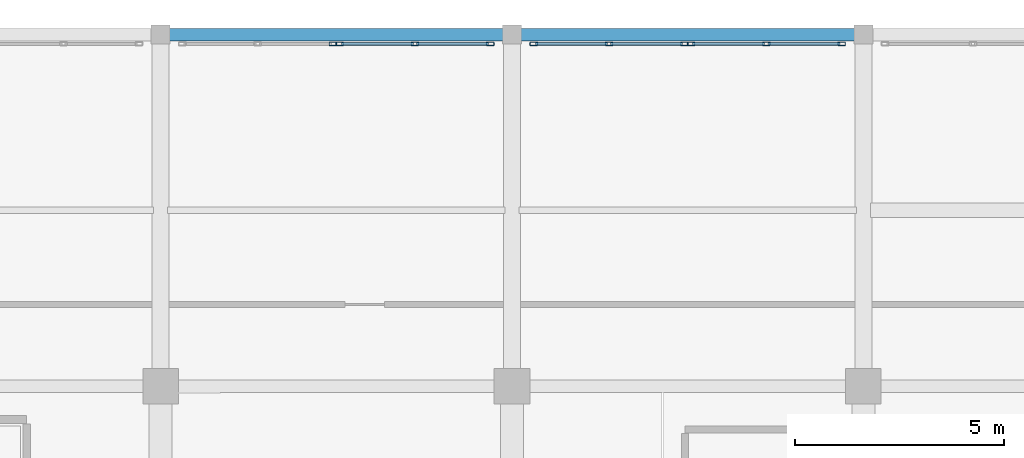
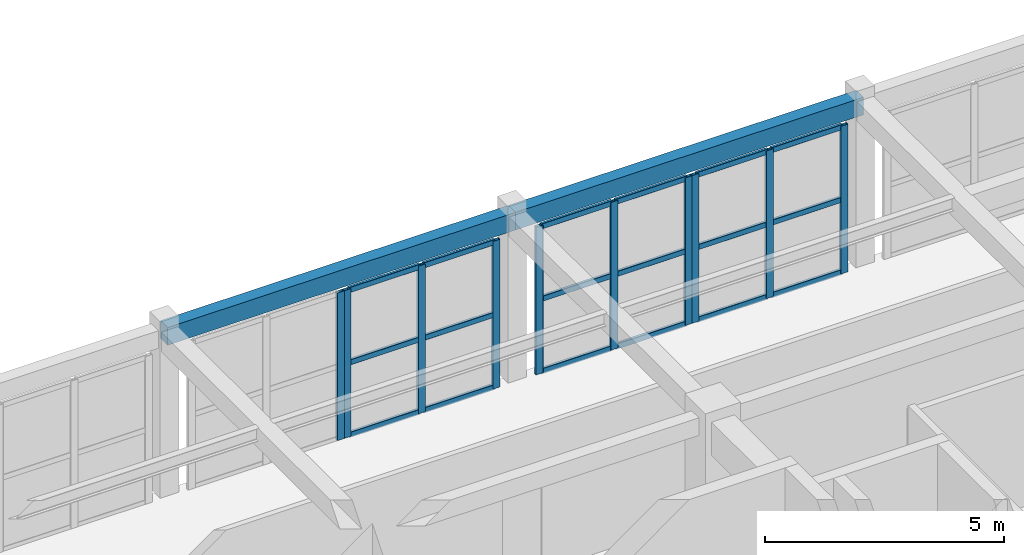
# One storey, part 40 of 92: 28 members, 2 beams, 4 elements without a shape of their own.
"""IFC4 building model written with IfcOpenShell, lengths in metres."""

import ifcopenshell
import ifcopenshell.guid

model = None  # the IFC model being written
_history = None  # IfcOwnerHistory: only IFC2X3 demands one
_inside = {}  # id of a spatial element -> (the spatial element, [elements in it])
_under = {}  # id of a project, library or spatial element -> (it, [spatial elements below it])
_declared = {}  # id of a project -> (the project, [libraries it declares])
_typed = {}  # id of a type object -> (the type object, [elements of that type])
_made_of = {}  # id of a material, layer set ... -> (it, [elements and type objects made of it])


def new_model(schema):
    """Start an empty IFC model of exactly this schema.

    Asked for "IFC4X3", IfcOpenShell would pick the latest addendum, in which some entities
    have other attributes; the version numbers below select the first issue.
    IFC2X3 requires an IfcOwnerHistory on every rooted entity: one is made here for all.
    """
    global model, _history
    if schema == "IFC4X3":
        model = ifcopenshell.file(schema_version=(4, 3, 0, 0))
    else:
        model = ifcopenshell.file(schema=schema)
    _inside.clear()
    _under.clear()
    _declared.clear()
    _typed.clear()
    _made_of.clear()
    _history = None
    if model.schema == "IFC2X3":
        org = make("IfcOrganization", Name="unknown")
        user = make(
            "IfcPersonAndOrganization",
            ThePerson=make("IfcPerson", FamilyName="unknown"),
            TheOrganization=org,
        )
        app = make(
            "IfcApplication",
            ApplicationDeveloper=org,
            Version="unknown",
            ApplicationFullName="unknown",
            ApplicationIdentifier="unknown",
        )
        _history = make(
            "IfcOwnerHistory",
            OwningUser=user,
            OwningApplication=app,
            ChangeAction="ADDED",
            CreationDate=0,
        )
    return model


def make(cls, **values):
    """One entity of the class cls with the attributes given. An attribute that is None is left unset."""
    return model.create_entity(
        cls, **{name: value for name, value in values.items() if value is not None}
    )


def rooted(cls, **values):
    """An entity with a GlobalId (a new one), such as an element, a storey or a relation."""
    return make(cls, GlobalId=ifcopenshell.guid.new(), OwnerHistory=_history, **values)


def si_unit(unit_type, name, prefix=None):
    """IfcSIUnit, for example si_unit("LENGTHUNIT", "METRE", prefix="MILLI")."""
    return make("IfcSIUnit", UnitType=unit_type, Prefix=prefix, Name=name)


def assignment(units):
    """IfcUnitAssignment: the units of a project."""
    return None if units is None else make("IfcUnitAssignment", Units=units)


def point(xyz):
    """IfcCartesianPoint."""
    return None if xyz is None else make("IfcCartesianPoint", Coordinates=xyz)


def direction(xyz):
    """IfcDirection."""
    return None if xyz is None else make("IfcDirection", DirectionRatios=xyz)


def frame(location, z_axis=None, x_axis=None):
    """IfcAxis2Placement3D, a coordinate frame: its origin and axes. An axis left out is left unset."""
    return make(
        "IfcAxis2Placement3D",
        Location=point(location),
        Axis=direction(z_axis),
        RefDirection=direction(x_axis),
    )


def frame_2d(location, x_axis=None):
    """IfcAxis2Placement2D, a coordinate frame in the plane: its origin and x axis."""
    return make(
        "IfcAxis2Placement2D", Location=point(location), RefDirection=direction(x_axis)
    )


def origin():
    """The frame at (0, 0, 0) with its axes left unset."""
    return frame((0.0, 0.0, 0.0))


def origin_2d():
    """The frame at (0, 0) in the plane with its x axis left unset."""
    return frame_2d((0.0, 0.0))


def place(relative_to, where):
    """IfcLocalPlacement: puts the frame where relative to a parent placement (None: the world)."""
    return make(
        "IfcLocalPlacement", PlacementRelTo=relative_to, RelativePlacement=where
    )


def context(
    kind, dimensions, precision=None, world=None, true_north=None, identifier=None
):
    """IfcGeometricRepresentationContext, for example the 3D "Model" context."""
    return make(
        "IfcGeometricRepresentationContext",
        ContextIdentifier=identifier,
        ContextType=kind,
        CoordinateSpaceDimension=dimensions,
        Precision=precision,
        WorldCoordinateSystem=world,
        TrueNorth=true_north,
    )


def subcontext(parent, identifier, kind, view, scale=None):
    """IfcGeometricRepresentationSubContext, for example "Body" below "Model"."""
    return make(
        "IfcGeometricRepresentationSubContext",
        ContextIdentifier=identifier,
        ContextType=kind,
        ParentContext=parent,
        TargetScale=scale,
        TargetView=view,
    )


def project(units=None, contexts=None):
    """IfcProject with its units and contexts."""
    return rooted(
        "IfcProject",
        Name="project",
        RepresentationContexts=contexts,
        UnitsInContext=assignment(units),
    )


def spatial(cls, under=None, at=None, **own):
    """A site, building, storey or space (cls), placed at a placement, below another one or the project."""
    s = rooted(cls, ObjectPlacement=at, **own)
    if under is not None:
        _under.setdefault(under.id(), (under, []))[1].append(s)
    return s


def profile(cls, at=None, kind="AREA", **sizes):
    """A parametric profile (cls). Its sizes go by their IFC names, for example OverallWidth=200.0."""
    return make(cls, ProfileType=kind, Position=at, **sizes)


def rectangle(**sizes):
    """IfcRectangleProfileDef."""
    return profile("IfcRectangleProfileDef", **sizes)


def hollow_rectangle(**sizes):
    """IfcRectangleHollowProfileDef."""
    return profile("IfcRectangleHollowProfileDef", **sizes)


def extrude(swept, where, along, depth):
    """IfcExtrudedAreaSolid: the profile swept, set in the frame where, extruded along a direction by depth."""
    return make(
        "IfcExtrudedAreaSolid",
        SweptArea=swept,
        Position=where,
        ExtrudedDirection=direction(along),
        Depth=depth,
    )


def shape(context_of_items, identifier, shape_type, items):
    """IfcShapeRepresentation: the items that make up one representation, for example the "Body"."""
    return make(
        "IfcShapeRepresentation",
        ContextOfItems=context_of_items,
        RepresentationIdentifier=identifier,
        RepresentationType=shape_type,
        Items=items,
    )


def material(Name=None, Category=None):
    """IfcMaterial."""
    return make("IfcMaterial", Name=Name, Category=Category)


def layer(
    of_material, thickness, ventilated=None, Name=None, Category=None, Priority=None
):
    """IfcMaterialLayer: one layer of a wall or slab, of a material (None: an air gap)."""
    return make(
        "IfcMaterialLayer",
        Material=of_material,
        LayerThickness=thickness,
        IsVentilated=ventilated,
        Name=Name,
        Category=Category,
        Priority=Priority,
    )


def layer_set(layers, Name=None):
    """IfcMaterialLayerSet."""
    return make("IfcMaterialLayerSet", MaterialLayers=layers, LayerSetName=Name)


def material_profile(
    of_material, cross_section, Name=None, Category=None, Priority=None
):
    """IfcMaterialProfile: a cross section and its material."""
    return make(
        "IfcMaterialProfile",
        Name=Name,
        Material=of_material,
        Profile=cross_section,
        Priority=Priority,
        Category=Category,
    )


def profile_set(profiles, Name=None, composite=None):
    """IfcMaterialProfileSet."""
    return make(
        "IfcMaterialProfileSet",
        Name=Name,
        MaterialProfiles=profiles,
        CompositeProfile=composite,
    )


def made_of(thing, what):
    """Note that an element or type object is made of a material, layer set ...; save() writes the relation."""
    if what is not None:
        _made_of.setdefault(what.id(), (what, []))[1].append(thing)
    return thing


def type_object(cls, material=None, **own):
    """A type object (cls), such as IfcWallType, which elements share."""
    return made_of(rooted(cls, **own), material)


def element(
    cls,
    number,
    at=None,
    inside=None,
    cuts=None,
    type_object=None,
    material=None,
    context=None,
    identifier="Body",
    shape_type=None,
    held_by="IfcProductDefinitionShape",
    body=None,
    shapes=None,
    **own,
):
    """One element of the class cls, such as IfcWall. Its Tag is "e" and its number.

    at: its placement. inside: the storey or other place that contains it. cuts: it is an
    opening in that element (IfcRelVoidsElement). A single representation is given by context,
    identifier, shape_type and body (its items); several are given by shapes. held_by: the class
    of the entity that holds the representations. save() writes the other relations.
    """
    e = rooted(cls, Tag="e%d" % number, ObjectPlacement=at, **own)
    if body is not None:
        shapes = [shape(context, identifier, shape_type, body)]
    if shapes is not None:
        e.Representation = make(held_by, Representations=shapes)
    if inside is not None:
        _inside.setdefault(inside.id(), (inside, []))[1].append(e)
    if cuts is not None:
        rooted(
            "IfcRelVoidsElement", RelatingBuildingElement=cuts, RelatedOpeningElement=e
        )
    if type_object is not None:
        _typed.setdefault(type_object.id(), (type_object, []))[1].append(e)
    return made_of(e, material)


def aggregate(whole, parts):
    """IfcRelAggregates: a whole, such as a stair, and the parts it consists of."""
    return rooted("IfcRelAggregates", RelatingObject=whole, RelatedObjects=parts)


def save(model, path):
    """Write the relations noted so far, then the file.

    IfcRelAggregates (storeys below a building ...), IfcRelContainedInSpatialStructure (elements
    in a storey), IfcRelDefinesByType, IfcRelAssociatesMaterial and IfcRelDeclares: one each for
    every whole, place, type object, material and project.
    """
    for whole, parts in _under.values():
        aggregate(whole, parts)
    for where, things in _inside.values():
        rooted(
            "IfcRelContainedInSpatialStructure",
            RelatedElements=things,
            RelatingStructure=where,
        )
    for kind, things in _typed.values():
        rooted("IfcRelDefinesByType", RelatedObjects=things, RelatingType=kind)
    for what, things in _made_of.values():
        rooted("IfcRelAssociatesMaterial", RelatedObjects=things, RelatingMaterial=what)
    for by, libraries in _declared.values():
        rooted("IfcRelDeclares", RelatingContext=by, RelatedDefinitions=libraries)
    model.write(path)


model = new_model("IFC4")

# Units and contexts
model_context = context("Model", 3, precision=1e-05, world=origin(), true_north=direction((0.0, 1.0)))
body_context = subcontext(model_context, "Body", "Model", "MODEL_VIEW")
ifc_project = project(units=[si_unit("LENGTHUNIT", "METRE"), si_unit("AREAUNIT", "SQUARE_METRE"), si_unit("VOLUMEUNIT", "CUBIC_METRE"), si_unit("PLANEANGLEUNIT", "RADIAN"), si_unit("MASSUNIT", "GRAM", prefix="KILO")], contexts=[model_context])

# Site, building, storey
site_placement = place(None, origin())
site = spatial("IfcSite", under=ifc_project, at=site_placement, CompositionType="ELEMENT")
building_placement = place(site_placement, origin())
building = spatial("IfcBuilding", under=site, at=building_placement, Name="Tarnavel Promenade Courthouse", CompositionType="ELEMENT")
storey_placement = place(building_placement, frame((0.0, 0.0, 5.39990234375)))
storey = spatial("IfcBuildingStorey", under=building, at=storey_placement, Name="L02", CompositionType="ELEMENT", Elevation=5.39990234375)

# Beams
ifc_material_1 = material(Name="Concrete C40/50", Category="concrete")
ifc_material_profile_1 = material_profile(ifc_material_1, rectangle(XDim=0.300048828125, YDim=0.449951171875, at=origin_2d()), Name="RC 300x450")
ifc_profile_set_1 = profile_set([ifc_material_profile_1], Name="Concrete C40/50")
beam_type = type_object("IfcBeamType", Name="Concrete C40/50 BM-SP-300x450 (RC 300x450)", PredefinedType="SPANDREL", material=ifc_profile_set_1)
for number, where, z_axis, x_axis, name in (
    (1, (75.60009765625, 112.800048828125, 4.010009765625), (1.0, 0.0, 0.0), (0.0, 1.0, 0.0), "L02 Primary Longitudinal Beam 1218"),
    (2, (84.0, 112.800048828125, 4.010009765625), (1.0, 0.0, 0.0), (0.0, 1.0, 0.0), "L02 Primary Longitudinal Beam 1219"),
):
    element("IfcBeam", number, at=place(storey_placement, frame(where, z_axis=z_axis, x_axis=x_axis)), inside=storey, type_object=beam_type, Name=name, PredefinedType="SPANDREL", context=body_context, shape_type="SweptSolid", body=[
        extrude(rectangle(XDim=0.300048828125, YDim=0.449951171875, at=origin_2d()), origin(), (0.0, 0.0, 1.0), 8.39990234375),
    ])

# Curtain wall, member
ifc_material_2 = material(Name="Thermally Broken Anodised Aluminium Curtain Wall System", Category="aluminium")
ifc_layer = layer(ifc_material_2, 0.199951171875)
ifc_layer_set = layer_set([ifc_layer], Name="Thermally Broken Anodised Aluminium Curtain Wall System")
curtain_wall_type = type_object("IfcCurtainWallType", Name="Thermally Broken Aluminium Triple-Glazed Curtain Wall CW-FOYER", PredefinedType="NOTDEFINED", material=ifc_layer_set)
curtain_wall_1_placement = place(storey_placement, origin())
curtain_wall_1 = element("IfcCurtainWall", 3, at=curtain_wall_1_placement, inside=storey, type_object=curtain_wall_type, Name="L02 North Foyer Curtain Wall A 132", PredefinedType="NOTDEFINED")
ifc_material_3 = material(Name="Thermally Broken Anodised Aluminium Frame", Category="aluminium")
ifc_material_profile_2 = material_profile(ifc_material_3, hollow_rectangle(XDim=0.080078125, YDim=0.179931640625, WallThickness=0.0048828125, InnerFilletRadius=0.0048828125, OuterFilletRadius=0.010009765625, at=origin_2d()), Name="CWM 180x80x5")
ifc_profile_set_2 = profile_set([ifc_material_profile_2], Name="Thermally Broken Anodised Aluminium Frame")
member_type_1 = type_object("IfcMemberType", Name="Thermally Broken Anodised Aluminium CWM-155 (CWM 180x80x5)", PredefinedType="MULLION", material=ifc_profile_set_2)
member_1_placement = place(storey_placement, frame((79.719970703125, 112.580078125, 0.0), z_axis=(0.0, 0.0, 1.0), x_axis=(0.0, 1.0, 0.0)))
member_1 = element("IfcMember", 4, at=member_1_placement, type_object=member_type_1, Name="CW-04 mullion 3", PredefinedType="MULLION", context=body_context, shape_type="SweptSolid", body=[
    extrude(hollow_rectangle(XDim=0.080078125, YDim=0.179931640625, WallThickness=0.0048828125, InnerFilletRadius=0.0048828125, OuterFilletRadius=0.010009765625, at=origin_2d()), origin(), (0.0, 0.0, 1.0), 3.77001953125),
])
aggregate(curtain_wall_1, [member_1])

# Curtain wall, members
curtain_wall_2_placement = place(storey_placement, origin())
curtain_wall_2 = element("IfcCurtainWall", 5, at=curtain_wall_2_placement, inside=storey, type_object=curtain_wall_type, Name="L02 North Foyer Curtain Wall B 133", PredefinedType="NOTDEFINED")
member_2_placement = place(storey_placement, frame((79.8798828125, 112.580078125, 0.0), z_axis=(0.0, 0.0, 1.0), x_axis=(0.0, 1.0, 0.0)))
member_2 = element("IfcMember", 6, at=member_2_placement, type_object=member_type_1, Name="CW-04 mullion 1", PredefinedType="MULLION", context=body_context, shape_type="SweptSolid", body=[
    extrude(hollow_rectangle(XDim=0.080078125, YDim=0.179931640625, WallThickness=0.0048828125, InnerFilletRadius=0.0048828125, OuterFilletRadius=0.010009765625, at=origin_2d()), origin(), (0.0, 0.0, 1.0), 3.77001953125),
])
member_3_placement = place(storey_placement, frame((81.679931640625, 112.580078125, 0.0), z_axis=(0.0, 0.0, 1.0), x_axis=(0.0, 1.0, 0.0)))
member_3 = element("IfcMember", 7, at=member_3_placement, type_object=member_type_1, Name="CW-04 mullion 2", PredefinedType="MULLION", context=body_context, shape_type="SweptSolid", body=[
    extrude(hollow_rectangle(XDim=0.080078125, YDim=0.179931640625, WallThickness=0.0048828125, InnerFilletRadius=0.0048828125, OuterFilletRadius=0.010009765625, at=origin_2d()), origin(), (0.0, 0.0, 1.0), 3.77001953125),
])
member_4_placement = place(storey_placement, frame((83.47998046875, 112.580078125, 0.0), z_axis=(0.0, 0.0, 1.0), x_axis=(0.0, 1.0, 0.0)))
member_4 = element("IfcMember", 8, at=member_4_placement, type_object=member_type_1, Name="CW-04 mullion 3", PredefinedType="MULLION", context=body_context, shape_type="SweptSolid", body=[
    extrude(hollow_rectangle(XDim=0.080078125, YDim=0.179931640625, WallThickness=0.0048828125, InnerFilletRadius=0.0048828125, OuterFilletRadius=0.010009765625, at=origin_2d()), origin(), (0.0, 0.0, 1.0), 3.77001953125),
])

curtain_wall_3_placement = place(storey_placement, origin())
curtain_wall_3 = element("IfcCurtainWall", 9, at=curtain_wall_3_placement, inside=storey, type_object=curtain_wall_type, Name="L02 North Foyer Curtain Wall A 134", PredefinedType="NOTDEFINED")
member_5_placement = place(storey_placement, frame((84.52001953125, 112.580078125, 0.0), z_axis=(0.0, 0.0, 1.0), x_axis=(0.0, 1.0, 0.0)))
member_5 = element("IfcMember", 10, at=member_5_placement, type_object=member_type_1, Name="CW-04 mullion 1", PredefinedType="MULLION", context=body_context, shape_type="SweptSolid", body=[
    extrude(hollow_rectangle(XDim=0.080078125, YDim=0.179931640625, WallThickness=0.0048828125, InnerFilletRadius=0.0048828125, OuterFilletRadius=0.010009765625, at=origin_2d()), origin(), (0.0, 0.0, 1.0), 3.77001953125),
])
member_6_placement = place(storey_placement, frame((86.320068359375, 112.580078125, 0.0), z_axis=(0.0, 0.0, 1.0), x_axis=(0.0, 1.0, 0.0)))
member_6 = element("IfcMember", 11, at=member_6_placement, type_object=member_type_1, Name="CW-04 mullion 2", PredefinedType="MULLION", context=body_context, shape_type="SweptSolid", body=[
    extrude(hollow_rectangle(XDim=0.080078125, YDim=0.179931640625, WallThickness=0.0048828125, InnerFilletRadius=0.0048828125, OuterFilletRadius=0.010009765625, at=origin_2d()), origin(), (0.0, 0.0, 1.0), 3.77001953125),
])
member_7_placement = place(storey_placement, frame((88.1201171875, 112.580078125, 0.0), z_axis=(0.0, 0.0, 1.0), x_axis=(0.0, 1.0, 0.0)))
member_7 = element("IfcMember", 12, at=member_7_placement, type_object=member_type_1, Name="CW-04 mullion 3", PredefinedType="MULLION", context=body_context, shape_type="SweptSolid", body=[
    extrude(hollow_rectangle(XDim=0.080078125, YDim=0.179931640625, WallThickness=0.0048828125, InnerFilletRadius=0.0048828125, OuterFilletRadius=0.010009765625, at=origin_2d()), origin(), (0.0, 0.0, 1.0), 3.77001953125),
])

curtain_wall_4_placement = place(storey_placement, origin())
curtain_wall_4 = element("IfcCurtainWall", 13, at=curtain_wall_4_placement, inside=storey, type_object=curtain_wall_type, Name="L02 North Foyer Curtain Wall B 135", PredefinedType="NOTDEFINED")
member_8_placement = place(storey_placement, frame((88.280029296875, 112.580078125, 0.0), z_axis=(0.0, 0.0, 1.0), x_axis=(0.0, 1.0, 0.0)))
member_8 = element("IfcMember", 14, at=member_8_placement, type_object=member_type_1, Name="CW-04 mullion 1", PredefinedType="MULLION", context=body_context, shape_type="SweptSolid", body=[
    extrude(hollow_rectangle(XDim=0.080078125, YDim=0.179931640625, WallThickness=0.0048828125, InnerFilletRadius=0.0048828125, OuterFilletRadius=0.010009765625, at=origin_2d()), origin(), (0.0, 0.0, 1.0), 3.77001953125),
])
member_9_placement = place(storey_placement, frame((90.080078125, 112.580078125, 0.0), z_axis=(0.0, 0.0, 1.0), x_axis=(0.0, 1.0, 0.0)))
member_9 = element("IfcMember", 15, at=member_9_placement, type_object=member_type_1, Name="CW-04 mullion 2", PredefinedType="MULLION", context=body_context, shape_type="SweptSolid", body=[
    extrude(hollow_rectangle(XDim=0.080078125, YDim=0.179931640625, WallThickness=0.0048828125, InnerFilletRadius=0.0048828125, OuterFilletRadius=0.010009765625, at=origin_2d()), origin(), (0.0, 0.0, 1.0), 3.77001953125),
])
member_10_placement = place(storey_placement, frame((91.8798828125, 112.580078125, 0.0), z_axis=(0.0, 0.0, 1.0), x_axis=(0.0, 1.0, 0.0)))
member_10 = element("IfcMember", 16, at=member_10_placement, type_object=member_type_1, Name="CW-04 mullion 3", PredefinedType="MULLION", context=body_context, shape_type="SweptSolid", body=[
    extrude(hollow_rectangle(XDim=0.080078125, YDim=0.179931640625, WallThickness=0.0048828125, InnerFilletRadius=0.0048828125, OuterFilletRadius=0.010009765625, at=origin_2d()), origin(), (0.0, 0.0, 1.0), 3.77001953125),
])

# Member
ifc_material_profile_3 = material_profile(ifc_material_3, hollow_rectangle(XDim=0.070068359375, YDim=0.139892578125, WallThickness=0.0048828125, InnerFilletRadius=0.0048828125, OuterFilletRadius=0.010009765625, at=origin_2d()), Name="CWT 140x70x5")
ifc_profile_set_3 = profile_set([ifc_material_profile_3], Name="Thermally Broken Anodised Aluminium Frame")
member_type_2 = type_object("IfcMemberType", Name="Thermally Broken Anodised Aluminium CWT-125 (CWT 140x70x5)", PredefinedType="USERDEFINED", material=ifc_profile_set_3)
member_11_placement = place(storey_placement, frame((79.919921875, 112.580078125, 0.03515625), z_axis=(1.0, 0.0, 0.0), x_axis=(0.0, 1.0, 0.0)))
member_11 = element("IfcMember", 17, at=member_11_placement, type_object=member_type_2, Name="CW-04 transom 1.1", ObjectType="TRANSOM", PredefinedType="USERDEFINED", context=body_context, shape_type="SweptSolid", body=[
    extrude(hollow_rectangle(XDim=0.070068359375, YDim=0.139892578125, WallThickness=0.0048828125, InnerFilletRadius=0.0048828125, OuterFilletRadius=0.010009765625, at=origin_2d()), origin(), (0.0, 0.0, 1.0), 1.719970703125),
])

member_12_placement = place(storey_placement, frame((79.919921875, 112.580078125, 1.885009765625), z_axis=(1.0, 0.0, 0.0), x_axis=(0.0, 1.0, 0.0)))
member_12 = element("IfcMember", 18, at=member_12_placement, type_object=member_type_2, Name="CW-04 transom 1.2", ObjectType="TRANSOM", PredefinedType="USERDEFINED", context=body_context, shape_type="SweptSolid", body=[
    extrude(hollow_rectangle(XDim=0.070068359375, YDim=0.139892578125, WallThickness=0.0048828125, InnerFilletRadius=0.0048828125, OuterFilletRadius=0.010009765625, at=origin_2d()), origin(), (0.0, 0.0, 1.0), 1.719970703125),
])

member_13_placement = place(storey_placement, frame((79.919921875, 112.580078125, 3.735107421875), z_axis=(1.0, 0.0, 0.0), x_axis=(0.0, 1.0, 0.0)))
member_13 = element("IfcMember", 19, at=member_13_placement, type_object=member_type_2, Name="CW-04 transom 1.3", ObjectType="TRANSOM", PredefinedType="USERDEFINED", context=body_context, shape_type="SweptSolid", body=[
    extrude(hollow_rectangle(XDim=0.070068359375, YDim=0.139892578125, WallThickness=0.0048828125, InnerFilletRadius=0.0048828125, OuterFilletRadius=0.010009765625, at=origin_2d()), origin(), (0.0, 0.0, 1.0), 1.719970703125),
])

member_14_placement = place(storey_placement, frame((81.719970703125, 112.580078125, 0.03515625), z_axis=(1.0, 0.0, 0.0), x_axis=(0.0, 1.0, 0.0)))
member_14 = element("IfcMember", 20, at=member_14_placement, type_object=member_type_2, Name="CW-04 transom 2.1", ObjectType="TRANSOM", PredefinedType="USERDEFINED", context=body_context, shape_type="SweptSolid", body=[
    extrude(hollow_rectangle(XDim=0.070068359375, YDim=0.139892578125, WallThickness=0.0048828125, InnerFilletRadius=0.0048828125, OuterFilletRadius=0.010009765625, at=origin_2d()), origin(), (0.0, 0.0, 1.0), 1.719970703125),
])

member_15_placement = place(storey_placement, frame((81.719970703125, 112.580078125, 1.885009765625), z_axis=(1.0, 0.0, 0.0), x_axis=(0.0, 1.0, 0.0)))
member_15 = element("IfcMember", 21, at=member_15_placement, type_object=member_type_2, Name="CW-04 transom 2.2", ObjectType="TRANSOM", PredefinedType="USERDEFINED", context=body_context, shape_type="SweptSolid", body=[
    extrude(hollow_rectangle(XDim=0.070068359375, YDim=0.139892578125, WallThickness=0.0048828125, InnerFilletRadius=0.0048828125, OuterFilletRadius=0.010009765625, at=origin_2d()), origin(), (0.0, 0.0, 1.0), 1.719970703125),
])

member_16_placement = place(storey_placement, frame((81.719970703125, 112.580078125, 3.735107421875), z_axis=(1.0, 0.0, 0.0), x_axis=(0.0, 1.0, 0.0)))
member_16 = element("IfcMember", 22, at=member_16_placement, type_object=member_type_2, Name="CW-04 transom 2.3", ObjectType="TRANSOM", PredefinedType="USERDEFINED", context=body_context, shape_type="SweptSolid", body=[
    extrude(hollow_rectangle(XDim=0.070068359375, YDim=0.139892578125, WallThickness=0.0048828125, InnerFilletRadius=0.0048828125, OuterFilletRadius=0.010009765625, at=origin_2d()), origin(), (0.0, 0.0, 1.0), 1.719970703125),
])

aggregate(curtain_wall_2, [member_2, member_3, member_4, member_11, member_12, member_13, member_14, member_15, member_16])

member_17_placement = place(storey_placement, frame((84.56005859375, 112.580078125, 0.03515625), z_axis=(1.0, 0.0, 0.0), x_axis=(0.0, 1.0, 0.0)))
member_17 = element("IfcMember", 23, at=member_17_placement, type_object=member_type_2, Name="CW-04 transom 1.1", ObjectType="TRANSOM", PredefinedType="USERDEFINED", context=body_context, shape_type="SweptSolid", body=[
    extrude(hollow_rectangle(XDim=0.070068359375, YDim=0.139892578125, WallThickness=0.0048828125, InnerFilletRadius=0.0048828125, OuterFilletRadius=0.010009765625, at=origin_2d()), origin(), (0.0, 0.0, 1.0), 1.719970703125),
])

member_18_placement = place(storey_placement, frame((84.56005859375, 112.580078125, 1.885009765625), z_axis=(1.0, 0.0, 0.0), x_axis=(0.0, 1.0, 0.0)))
member_18 = element("IfcMember", 24, at=member_18_placement, type_object=member_type_2, Name="CW-04 transom 1.2", ObjectType="TRANSOM", PredefinedType="USERDEFINED", context=body_context, shape_type="SweptSolid", body=[
    extrude(hollow_rectangle(XDim=0.070068359375, YDim=0.139892578125, WallThickness=0.0048828125, InnerFilletRadius=0.0048828125, OuterFilletRadius=0.010009765625, at=origin_2d()), origin(), (0.0, 0.0, 1.0), 1.719970703125),
])

member_19_placement = place(storey_placement, frame((84.56005859375, 112.580078125, 3.735107421875), z_axis=(1.0, 0.0, 0.0), x_axis=(0.0, 1.0, 0.0)))
member_19 = element("IfcMember", 25, at=member_19_placement, type_object=member_type_2, Name="CW-04 transom 1.3", ObjectType="TRANSOM", PredefinedType="USERDEFINED", context=body_context, shape_type="SweptSolid", body=[
    extrude(hollow_rectangle(XDim=0.070068359375, YDim=0.139892578125, WallThickness=0.0048828125, InnerFilletRadius=0.0048828125, OuterFilletRadius=0.010009765625, at=origin_2d()), origin(), (0.0, 0.0, 1.0), 1.719970703125),
])

member_20_placement = place(storey_placement, frame((86.360107421875, 112.580078125, 0.03515625), z_axis=(1.0, 0.0, 0.0), x_axis=(0.0, 1.0, 0.0)))
member_20 = element("IfcMember", 26, at=member_20_placement, type_object=member_type_2, Name="CW-04 transom 2.1", ObjectType="TRANSOM", PredefinedType="USERDEFINED", context=body_context, shape_type="SweptSolid", body=[
    extrude(hollow_rectangle(XDim=0.070068359375, YDim=0.139892578125, WallThickness=0.0048828125, InnerFilletRadius=0.0048828125, OuterFilletRadius=0.010009765625, at=origin_2d()), origin(), (0.0, 0.0, 1.0), 1.719970703125),
])

member_21_placement = place(storey_placement, frame((86.360107421875, 112.580078125, 1.885009765625), z_axis=(1.0, 0.0, 0.0), x_axis=(0.0, 1.0, 0.0)))
member_21 = element("IfcMember", 27, at=member_21_placement, type_object=member_type_2, Name="CW-04 transom 2.2", ObjectType="TRANSOM", PredefinedType="USERDEFINED", context=body_context, shape_type="SweptSolid", body=[
    extrude(hollow_rectangle(XDim=0.070068359375, YDim=0.139892578125, WallThickness=0.0048828125, InnerFilletRadius=0.0048828125, OuterFilletRadius=0.010009765625, at=origin_2d()), origin(), (0.0, 0.0, 1.0), 1.719970703125),
])

member_22_placement = place(storey_placement, frame((86.360107421875, 112.580078125, 3.735107421875), z_axis=(1.0, 0.0, 0.0), x_axis=(0.0, 1.0, 0.0)))
member_22 = element("IfcMember", 28, at=member_22_placement, type_object=member_type_2, Name="CW-04 transom 2.3", ObjectType="TRANSOM", PredefinedType="USERDEFINED", context=body_context, shape_type="SweptSolid", body=[
    extrude(hollow_rectangle(XDim=0.070068359375, YDim=0.139892578125, WallThickness=0.0048828125, InnerFilletRadius=0.0048828125, OuterFilletRadius=0.010009765625, at=origin_2d()), origin(), (0.0, 0.0, 1.0), 1.719970703125),
])

aggregate(curtain_wall_3, [member_5, member_6, member_7, member_17, member_18, member_19, member_20, member_21, member_22])

member_23_placement = place(storey_placement, frame((88.320068359375, 112.580078125, 0.03515625), z_axis=(1.0, 0.0, 0.0), x_axis=(0.0, 1.0, 0.0)))
member_23 = element("IfcMember", 29, at=member_23_placement, type_object=member_type_2, Name="CW-04 transom 1.1", ObjectType="TRANSOM", PredefinedType="USERDEFINED", context=body_context, shape_type="SweptSolid", body=[
    extrude(hollow_rectangle(XDim=0.070068359375, YDim=0.139892578125, WallThickness=0.0048828125, InnerFilletRadius=0.0048828125, OuterFilletRadius=0.010009765625, at=origin_2d()), origin(), (0.0, 0.0, 1.0), 1.719970703125),
])

member_24_placement = place(storey_placement, frame((88.320068359375, 112.580078125, 1.885009765625), z_axis=(1.0, 0.0, 0.0), x_axis=(0.0, 1.0, 0.0)))
member_24 = element("IfcMember", 30, at=member_24_placement, type_object=member_type_2, Name="CW-04 transom 1.2", ObjectType="TRANSOM", PredefinedType="USERDEFINED", context=body_context, shape_type="SweptSolid", body=[
    extrude(hollow_rectangle(XDim=0.070068359375, YDim=0.139892578125, WallThickness=0.0048828125, InnerFilletRadius=0.0048828125, OuterFilletRadius=0.010009765625, at=origin_2d()), origin(), (0.0, 0.0, 1.0), 1.719970703125),
])

member_25_placement = place(storey_placement, frame((88.320068359375, 112.580078125, 3.735107421875), z_axis=(1.0, 0.0, 0.0), x_axis=(0.0, 1.0, 0.0)))
member_25 = element("IfcMember", 31, at=member_25_placement, type_object=member_type_2, Name="CW-04 transom 1.3", ObjectType="TRANSOM", PredefinedType="USERDEFINED", context=body_context, shape_type="SweptSolid", body=[
    extrude(hollow_rectangle(XDim=0.070068359375, YDim=0.139892578125, WallThickness=0.0048828125, InnerFilletRadius=0.0048828125, OuterFilletRadius=0.010009765625, at=origin_2d()), origin(), (0.0, 0.0, 1.0), 1.719970703125),
])

member_26_placement = place(storey_placement, frame((90.1201171875, 112.580078125, 0.03515625), z_axis=(1.0, 0.0, 0.0), x_axis=(0.0, 1.0, 0.0)))
member_26 = element("IfcMember", 32, at=member_26_placement, type_object=member_type_2, Name="CW-04 transom 2.1", ObjectType="TRANSOM", PredefinedType="USERDEFINED", context=body_context, shape_type="SweptSolid", body=[
    extrude(hollow_rectangle(XDim=0.070068359375, YDim=0.139892578125, WallThickness=0.0048828125, InnerFilletRadius=0.0048828125, OuterFilletRadius=0.010009765625, at=origin_2d()), origin(), (0.0, 0.0, 1.0), 1.719970703125),
])

member_27_placement = place(storey_placement, frame((90.1201171875, 112.580078125, 1.885009765625), z_axis=(1.0, 0.0, 0.0), x_axis=(0.0, 1.0, 0.0)))
member_27 = element("IfcMember", 33, at=member_27_placement, type_object=member_type_2, Name="CW-04 transom 2.2", ObjectType="TRANSOM", PredefinedType="USERDEFINED", context=body_context, shape_type="SweptSolid", body=[
    extrude(hollow_rectangle(XDim=0.070068359375, YDim=0.139892578125, WallThickness=0.0048828125, InnerFilletRadius=0.0048828125, OuterFilletRadius=0.010009765625, at=origin_2d()), origin(), (0.0, 0.0, 1.0), 1.719970703125),
])

member_28_placement = place(storey_placement, frame((90.1201171875, 112.580078125, 3.735107421875), z_axis=(1.0, 0.0, 0.0), x_axis=(0.0, 1.0, 0.0)))
member_28 = element("IfcMember", 34, at=member_28_placement, type_object=member_type_2, Name="CW-04 transom 2.3", ObjectType="TRANSOM", PredefinedType="USERDEFINED", context=body_context, shape_type="SweptSolid", body=[
    extrude(hollow_rectangle(XDim=0.070068359375, YDim=0.139892578125, WallThickness=0.0048828125, InnerFilletRadius=0.0048828125, OuterFilletRadius=0.010009765625, at=origin_2d()), origin(), (0.0, 0.0, 1.0), 1.719970703125),
])

aggregate(curtain_wall_4, [member_8, member_9, member_10, member_23, member_24, member_25, member_26, member_27, member_28])

save(model, "model.ifc")
